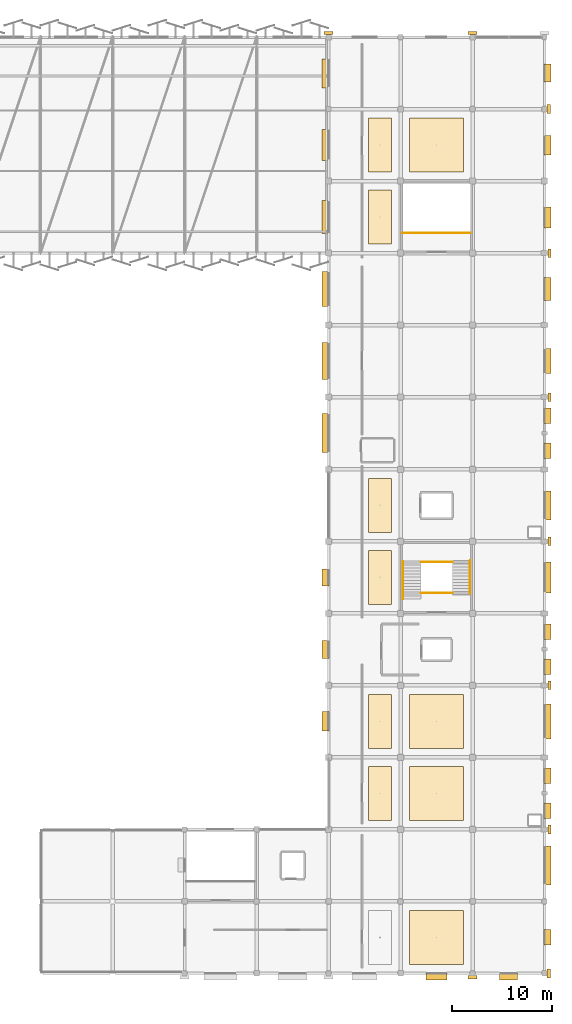
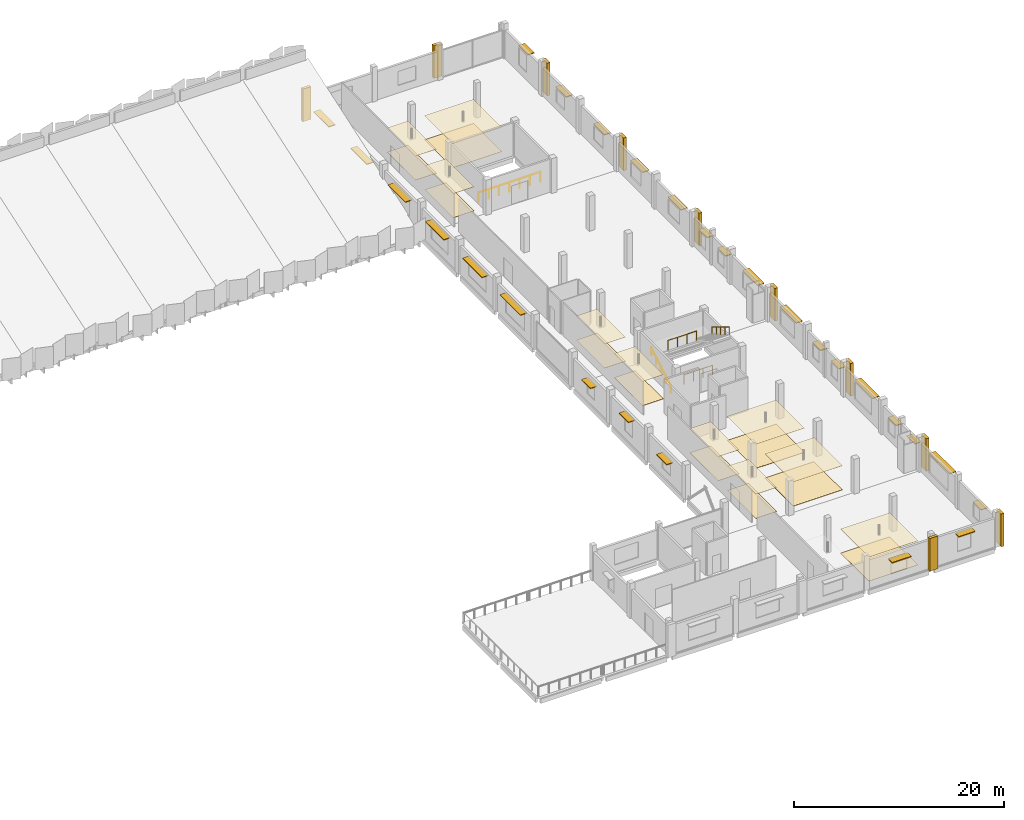
# One storey, part 58 of 59: 30 coverings, 27 shading devices, 5 railings.
"""IFC4 building model written with IfcOpenShell, lengths in metres."""

from ifc_helpers import new_model, si_unit, direction, frame, origin, origin_2d, place, context, subcontext, project, spatial, polyline, rectangle, circle, outline, extrude, material, layer, layer_set, type_object, element, save


model = new_model("IFC4")

# Units and contexts
model_context = context("Model", 3, precision=1e-05, world=origin(), true_north=direction((0.0, 1.0)))
body_context = subcontext(model_context, "Body", "Model", "MODEL_VIEW")
ifc_project = project(units=[si_unit("LENGTHUNIT", "METRE"), si_unit("AREAUNIT", "SQUARE_METRE"), si_unit("VOLUMEUNIT", "CUBIC_METRE"), si_unit("PLANEANGLEUNIT", "RADIAN"), si_unit("MASSUNIT", "GRAM", prefix="KILO")], contexts=[model_context])

# Site, building, storey
site_placement = place(None, origin())
site = spatial("IfcSite", under=ifc_project, at=site_placement, CompositionType="ELEMENT")
building_placement = place(site_placement, origin())
building = spatial("IfcBuilding", under=site, at=building_placement, Name="Kangsadwip Square Police Headquarters", CompositionType="ELEMENT")
storey_placement = place(building_placement, frame((0.0, 0.0, 21.60009765625)))
storey = spatial("IfcBuildingStorey", under=building, at=storey_placement, Name="L05", CompositionType="ELEMENT", Elevation=21.60009765625)

# Railings
ifc_material_1 = material(Name="Structural steel IS 2062 E250 (Grade 250, 250 MPa)", Category="steel")
railing_type_1 = type_object("IfcRailingType", Name="BalustradeGuard1100", PredefinedType="BALUSTRADE", material=ifc_material_1)
for number, where, name in (
    (1, (153.22998046875, 59.639892578125, 0.0), "Stair Guard ST-03 L05-94"),
    (2, (153.22998046875, 62.719970703125, 2.10595703125), "Stair Guard ST-03 L05-95"),
):
    element("IfcRailing", number, at=place(storey_placement, frame(where)), inside=storey, type_object=railing_type_1, Name=name, PredefinedType="BALUSTRADE", context=body_context, shape_type="SweptSolid", body=[
        extrude(circle(Radius=0.02392578125, at=origin_2d()), frame((0.0, 0.0, 1.09619140625), z_axis=(1.0, 0.0, 0.0), x_axis=(0.0, 1.0, 0.0)), (0.0, 0.0, 1.0), 3.14013671875),
        extrude(circle(Radius=0.02099609375, at=origin_2d()), origin(), (0.0, 0.0, 1.0), 1.072021484375),
        extrude(circle(Radius=0.02099609375, at=origin_2d()), frame((1.046630859375, 0.0, 0.0)), (0.0, 0.0, 1.0), 1.072021484375),
        extrude(circle(Radius=0.02099609375, at=origin_2d()), frame((2.093505859375, 0.0, 0.0)), (0.0, 0.0, 1.0), 1.072021484375),
        extrude(circle(Radius=0.02099609375, at=origin_2d()), frame((3.14013671875, 0.0, 0.0)), (0.0, 0.0, 1.0), 1.072021484375),
    ])
railing_1_placement = place(storey_placement, frame((151.39990234375, 95.60009765625, 0.0)))
element("IfcRailing", 3, at=railing_1_placement, inside=storey, type_object=railing_type_1, Name="Top Stairwell Guard ST-04 L05", PredefinedType="BALUSTRADE", context=body_context, shape_type="SweptSolid", body=[
    extrude(circle(Radius=0.02392578125, at=origin_2d()), frame((0.0, 0.0, 1.09619140625), z_axis=(1.0, 0.0, 0.0), x_axis=(0.0, 1.0, 0.0)), (0.0, 0.0, 1.0), 6.800048828125),
    extrude(circle(Radius=0.02099609375, at=origin_2d()), origin(), (0.0, 0.0, 1.0), 1.072021484375),
    extrude(circle(Radius=0.02099609375, at=origin_2d()), frame((1.13330078125, 0.0, 0.0)), (0.0, 0.0, 1.0), 1.072021484375),
    extrude(circle(Radius=0.02099609375, at=origin_2d()), frame((2.2666015625, 0.0, 0.0)), (0.0, 0.0, 1.0), 1.072021484375),
    extrude(circle(Radius=0.02099609375, at=origin_2d()), frame((3.39990234375, 0.0, 0.0)), (0.0, 0.0, 1.0), 1.072021484375),
    extrude(circle(Radius=0.02099609375, at=origin_2d()), frame((4.533447265625, 0.0, 0.0)), (0.0, 0.0, 1.0), 1.072021484375),
    extrude(circle(Radius=0.02099609375, at=origin_2d()), frame((5.666748046875, 0.0, 0.0)), (0.0, 0.0, 1.0), 1.072021484375),
    extrude(circle(Radius=0.02099609375, at=origin_2d()), frame((6.800048828125, 0.0, 0.0)), (0.0, 0.0, 1.0), 1.072021484375),
])

# Coverings
ifc_material_2 = material(Name="Seamless anti-static epoxy and polished Kota stone interior flooring", Category="masonry")
ifc_layer_1 = layer(ifc_material_2, 0.02001953125)
ifc_layer_set_1 = layer_set([ifc_layer_1], Name="Seamless anti-static epoxy and polished Kota stone interior flooring")
covering_type_1 = type_object("IfcCoveringType", Name="InteriorStoneEpoxyFloor", PredefinedType="FLOORING", material=ifc_layer_set_1)
covering_1_placement = place(storey_placement, origin())
element("IfcCovering", 4, at=covering_1_placement, inside=storey, type_object=covering_type_1, Name="Interior Floor Finish L05-158", PredefinedType="FLOORING", context=body_context, shape_type="SweptSolid", body=[
    extrude(outline(polyline([(148.0, 94.5), (150.300048828125, 94.5), (150.300048828125, 99.89990234375), (148.0, 99.89990234375), (148.0, 94.5)])), origin(), (0.0, 0.0, 1.0), 0.02001953125),
])
covering_2_placement = place(storey_placement, origin())
element("IfcCovering", 5, at=covering_2_placement, inside=storey, type_object=covering_type_1, Name="Interior Floor Finish L05-159", PredefinedType="FLOORING", context=body_context, shape_type="SweptSolid", body=[
    extrude(outline(polyline([(148.0, 101.699951171875), (150.300048828125, 101.699951171875), (150.300048828125, 107.10009765625), (148.0, 107.10009765625), (148.0, 101.699951171875)])), origin(), (0.0, 0.0, 1.0), 0.02001953125),
])
covering_3_placement = place(storey_placement, origin())
element("IfcCovering", 6, at=covering_3_placement, inside=storey, type_object=covering_type_1, Name="Interior Floor Finish L05-160", PredefinedType="FLOORING", context=body_context, shape_type="SweptSolid", body=[
    extrude(outline(polyline([(152.10009765625, 101.699951171875), (157.5, 101.699951171875), (157.5, 107.10009765625), (152.10009765625, 107.10009765625), (152.10009765625, 101.699951171875)])), origin(), (0.0, 0.0, 1.0), 0.02001953125),
])
covering_4_placement = place(storey_placement, origin())
element("IfcCovering", 7, at=covering_4_placement, inside=storey, type_object=covering_type_1, Name="Interior Floor Finish L05-168", PredefinedType="FLOORING", context=body_context, shape_type="SweptSolid", body=[
    extrude(outline(polyline([(148.0, 36.89990234375), (150.300048828125, 36.89990234375), (150.300048828125, 42.300048828125), (148.0, 42.300048828125), (148.0, 36.89990234375)])), origin(), (0.0, 0.0, 1.0), 0.02001953125),
])
covering_5_placement = place(storey_placement, origin())
element("IfcCovering", 8, at=covering_5_placement, inside=storey, type_object=covering_type_1, Name="Interior Floor Finish L05-169", PredefinedType="FLOORING", context=body_context, shape_type="SweptSolid", body=[
    extrude(outline(polyline([(152.10009765625, 36.89990234375), (157.5, 36.89990234375), (157.5, 42.300048828125), (152.10009765625, 42.300048828125), (152.10009765625, 36.89990234375)])), origin(), (0.0, 0.0, 1.0), 0.02001953125),
])
covering_6_placement = place(storey_placement, origin())
element("IfcCovering", 9, at=covering_6_placement, inside=storey, type_object=covering_type_1, Name="Interior Floor Finish L05-170", PredefinedType="FLOORING", context=body_context, shape_type="SweptSolid", body=[
    extrude(outline(polyline([(148.0, 44.10009765625), (150.300048828125, 44.10009765625), (150.300048828125, 49.5), (148.0, 49.5), (148.0, 44.10009765625)])), origin(), (0.0, 0.0, 1.0), 0.02001953125),
])
covering_7_placement = place(storey_placement, origin())
element("IfcCovering", 10, at=covering_7_placement, inside=storey, type_object=covering_type_1, Name="Interior Floor Finish L05-171", PredefinedType="FLOORING", context=body_context, shape_type="SweptSolid", body=[
    extrude(outline(polyline([(152.10009765625, 44.10009765625), (157.5, 44.10009765625), (157.5, 49.5), (152.10009765625, 49.5), (152.10009765625, 44.10009765625)])), origin(), (0.0, 0.0, 1.0), 0.02001953125),
])
covering_8_placement = place(storey_placement, origin())
element("IfcCovering", 11, at=covering_8_placement, inside=storey, type_object=covering_type_1, Name="Interior Floor Finish L05-172", PredefinedType="FLOORING", context=body_context, shape_type="SweptSolid", body=[
    extrude(outline(polyline([(148.0, 58.5), (150.300048828125, 58.5), (150.300048828125, 63.89990234375), (148.0, 63.89990234375), (148.0, 58.5)])), origin(), (0.0, 0.0, 1.0), 0.02001953125),
])
covering_9_placement = place(storey_placement, origin())
element("IfcCovering", 12, at=covering_9_placement, inside=storey, type_object=covering_type_1, Name="Interior Floor Finish L05-173", PredefinedType="FLOORING", context=body_context, shape_type="SweptSolid", body=[
    extrude(outline(polyline([(148.0, 65.699951171875), (150.300048828125, 65.699951171875), (150.300048828125, 71.10009765625), (148.0, 71.10009765625), (148.0, 65.699951171875)])), origin(), (0.0, 0.0, 1.0), 0.02001953125),
])
covering_10_placement = place(storey_placement, origin())
element("IfcCovering", 13, at=covering_10_placement, inside=storey, type_object=covering_type_1, Name="Interior Floor Finish L05-175", PredefinedType="FLOORING", context=body_context, shape_type="SweptSolid", body=[
    extrude(outline(polyline([(152.10009765625, 22.5), (157.5, 22.5), (157.5, 27.89990234375), (152.10009765625, 27.89990234375), (152.10009765625, 22.5)])), origin(), (0.0, 0.0, 1.0), 0.02001953125),
])

# Railings
ifc_material_3 = material(Name="Structural steel IS 2062 E250 (Grade 250, 250 MPa)", Category="steel")
railing_type_2 = type_object("IfcRailingType", Name="StairPitchHandrail900", PredefinedType="HANDRAIL", material=ifc_material_3)
railing_2_placement = place(storey_placement, frame((151.43994140625, 59.0400390625, 0.0)))
element("IfcRailing", 14, at=railing_2_placement, inside=storey, type_object=railing_type_2, Name="Stair Handrail ST-03 L05-96", PredefinedType="HANDRAIL", context=body_context, shape_type="SweptSolid", body=[
    extrude(circle(Radius=0.02392578125, at=origin_2d()), frame((0.0, 0.0, 0.8759765625), z_axis=(0.0, 0.870225440575, 0.492653714668), x_axis=(-1.0, 0.0, 0.0)), (0.0, 0.0, 1.0), 4.274658203125),
    extrude(circle(Radius=0.02099609375, at=origin_2d()), origin(), (0.0, 0.0, 1.0), 0.851806640625),
    extrude(circle(Radius=0.02099609375, at=origin_2d()), frame((0.0, 0.929931640625, 0.5263671875)), (0.0, 0.0, 1.0), 0.851806640625),
    extrude(circle(Radius=0.02099609375, at=origin_2d()), frame((0.0, 1.85986328125, 1.052978515625)), (0.0, 0.0, 1.0), 0.851806640625),
    extrude(circle(Radius=0.02099609375, at=origin_2d()), frame((0.0, 2.7900390625, 1.57958984375)), (0.0, 0.0, 1.0), 0.851806640625),
    extrude(circle(Radius=0.02099609375, at=origin_2d()), frame((0.0, 3.719970703125, 2.10595703125)), (0.0, 0.0, 1.0), 0.851806640625),
])
railing_3_placement = place(storey_placement, frame((158.159912109375, 62.860107421875, 2.10595703125)))
element("IfcRailing", 15, at=railing_3_placement, inside=storey, type_object=railing_type_2, Name="Stair Handrail ST-03 L05-97", PredefinedType="HANDRAIL", context=body_context, shape_type="SweptSolid", body=[
    extrude(circle(Radius=0.02392578125, at=origin_2d()), frame((0.0, 0.0, 0.8759765625), z_axis=(0.0, -0.860276971572, 0.509826962981), x_axis=(1.0, 0.0, 0.0)), (0.0, 0.0, 1.0), 3.812744140625),
    extrude(circle(Radius=0.02099609375, at=origin_2d()), origin(), (0.0, 0.0, 1.0), 0.851806640625),
    extrude(circle(Radius=0.02099609375, at=origin_2d()), frame((0.0, -0.820068359375, 0.48583984375)), (0.0, 0.0, 1.0), 0.851806640625),
    extrude(circle(Radius=0.02099609375, at=origin_2d()), frame((0.0, -1.64013671875, 0.971923828125)), (0.0, 0.0, 1.0), 0.851806640625),
    extrude(circle(Radius=0.02099609375, at=origin_2d()), frame((0.0, -2.4599609375, 1.4580078125)), (0.0, 0.0, 1.0), 0.851806640625),
    extrude(circle(Radius=0.02099609375, at=origin_2d()), frame((0.0, -3.280029296875, 1.94384765625)), (0.0, 0.0, 1.0), 0.851806640625),
])

# Coverings
ifc_material_4 = material(Name="Perforated mineral-fibre and acoustic baffle suspended ceiling", Category="wood")
ifc_layer_2 = layer(ifc_material_4, 0.02490234375)
ifc_layer_set_2 = layer_set([ifc_layer_2], Name="Perforated mineral-fibre and acoustic baffle suspended ceiling")
covering_type_2 = type_object("IfcCoveringType", Name="SuspendedAcousticCeiling", PredefinedType="CEILING", material=ifc_layer_set_2)
covering_11_placement = place(storey_placement, frame((0.0, 0.0, 2.7998046875)))
element("IfcCovering", 16, at=covering_11_placement, inside=storey, type_object=covering_type_2, Name="Suspended Acoustic Ceiling L05-158", PredefinedType="CEILING", context=body_context, shape_type="SweptSolid", body=[
    extrude(outline(polyline([(148.0, 94.5), (150.300048828125, 94.5), (150.300048828125, 99.89990234375), (148.0, 99.89990234375), (148.0, 94.5)])), origin(), (0.0, 0.0, 1.0), 0.025146484375),
])
covering_12_placement = place(storey_placement, frame((0.0, 0.0, 2.7998046875)))
element("IfcCovering", 17, at=covering_12_placement, inside=storey, type_object=covering_type_2, Name="Suspended Acoustic Ceiling L05-159", PredefinedType="CEILING", context=body_context, shape_type="SweptSolid", body=[
    extrude(outline(polyline([(148.0, 101.699951171875), (150.300048828125, 101.699951171875), (150.300048828125, 107.10009765625), (148.0, 107.10009765625), (148.0, 101.699951171875)])), origin(), (0.0, 0.0, 1.0), 0.025146484375),
])
covering_13_placement = place(storey_placement, frame((0.0, 0.0, 2.7998046875)))
element("IfcCovering", 18, at=covering_13_placement, inside=storey, type_object=covering_type_2, Name="Suspended Acoustic Ceiling L05-160", PredefinedType="CEILING", context=body_context, shape_type="SweptSolid", body=[
    extrude(outline(polyline([(152.10009765625, 101.699951171875), (157.5, 101.699951171875), (157.5, 107.10009765625), (152.10009765625, 107.10009765625), (152.10009765625, 101.699951171875)])), origin(), (0.0, 0.0, 1.0), 0.025146484375),
])
covering_14_placement = place(storey_placement, frame((0.0, 0.0, 2.7998046875)))
element("IfcCovering", 19, at=covering_14_placement, inside=storey, type_object=covering_type_2, Name="Suspended Acoustic Ceiling L05-168", PredefinedType="CEILING", context=body_context, shape_type="SweptSolid", body=[
    extrude(outline(polyline([(148.0, 36.89990234375), (150.300048828125, 36.89990234375), (150.300048828125, 42.300048828125), (148.0, 42.300048828125), (148.0, 36.89990234375)])), origin(), (0.0, 0.0, 1.0), 0.025146484375),
])
covering_15_placement = place(storey_placement, frame((0.0, 0.0, 2.7998046875)))
element("IfcCovering", 20, at=covering_15_placement, inside=storey, type_object=covering_type_2, Name="Suspended Acoustic Ceiling L05-169", PredefinedType="CEILING", context=body_context, shape_type="SweptSolid", body=[
    extrude(outline(polyline([(152.10009765625, 36.89990234375), (157.5, 36.89990234375), (157.5, 42.300048828125), (152.10009765625, 42.300048828125), (152.10009765625, 36.89990234375)])), origin(), (0.0, 0.0, 1.0), 0.025146484375),
])
covering_16_placement = place(storey_placement, frame((0.0, 0.0, 2.7998046875)))
element("IfcCovering", 21, at=covering_16_placement, inside=storey, type_object=covering_type_2, Name="Suspended Acoustic Ceiling L05-170", PredefinedType="CEILING", context=body_context, shape_type="SweptSolid", body=[
    extrude(outline(polyline([(148.0, 44.10009765625), (150.300048828125, 44.10009765625), (150.300048828125, 49.5), (148.0, 49.5), (148.0, 44.10009765625)])), origin(), (0.0, 0.0, 1.0), 0.025146484375),
])
covering_17_placement = place(storey_placement, frame((0.0, 0.0, 2.7998046875)))
element("IfcCovering", 22, at=covering_17_placement, inside=storey, type_object=covering_type_2, Name="Suspended Acoustic Ceiling L05-171", PredefinedType="CEILING", context=body_context, shape_type="SweptSolid", body=[
    extrude(outline(polyline([(152.10009765625, 44.10009765625), (157.5, 44.10009765625), (157.5, 49.5), (152.10009765625, 49.5), (152.10009765625, 44.10009765625)])), origin(), (0.0, 0.0, 1.0), 0.025146484375),
])
covering_18_placement = place(storey_placement, frame((0.0, 0.0, 2.7998046875)))
element("IfcCovering", 23, at=covering_18_placement, inside=storey, type_object=covering_type_2, Name="Suspended Acoustic Ceiling L05-172", PredefinedType="CEILING", context=body_context, shape_type="SweptSolid", body=[
    extrude(outline(polyline([(148.0, 58.5), (150.300048828125, 58.5), (150.300048828125, 63.89990234375), (148.0, 63.89990234375), (148.0, 58.5)])), origin(), (0.0, 0.0, 1.0), 0.025146484375),
])
covering_19_placement = place(storey_placement, frame((0.0, 0.0, 2.7998046875)))
element("IfcCovering", 24, at=covering_19_placement, inside=storey, type_object=covering_type_2, Name="Suspended Acoustic Ceiling L05-173", PredefinedType="CEILING", context=body_context, shape_type="SweptSolid", body=[
    extrude(outline(polyline([(148.0, 65.699951171875), (150.300048828125, 65.699951171875), (150.300048828125, 71.10009765625), (148.0, 71.10009765625), (148.0, 65.699951171875)])), origin(), (0.0, 0.0, 1.0), 0.025146484375),
])
covering_20_placement = place(storey_placement, frame((0.0, 0.0, 2.7998046875)))
element("IfcCovering", 25, at=covering_20_placement, inside=storey, type_object=covering_type_2, Name="Suspended Acoustic Ceiling L05-175", PredefinedType="CEILING", context=body_context, shape_type="SweptSolid", body=[
    extrude(outline(polyline([(152.10009765625, 22.5), (157.5, 22.5), (157.5, 27.89990234375), (152.10009765625, 27.89990234375), (152.10009765625, 22.5)])), origin(), (0.0, 0.0, 1.0), 0.025146484375),
])
ifc_material_5 = material(Name="Glazed architectural terracotta masonry rainscreen", Category="masonry")
ifc_layer_3 = layer(ifc_material_5, 0.034912109375)
ifc_layer_set_3 = layer_set([ifc_layer_3], Name="Glazed architectural terracotta masonry rainscreen")
covering_type_3 = type_object("IfcCoveringType", Name="TerracottaPierCladding", PredefinedType="CLADDING", material=ifc_layer_set_3)
covering_21_placement = place(storey_placement, origin())
element("IfcCovering", 26, at=covering_21_placement, inside=storey, type_object=covering_type_3, Name="Terracotta Pier Cladding L05-128", PredefinedType="CLADDING", context=body_context, shape_type="SweptSolid", body=[
    extrude(outline(polyline([(165.85498046875, 21.159912109375), (166.175048828125, 21.159912109375), (166.175048828125, 22.0400390625), (165.85498046875, 22.0400390625), (165.85498046875, 21.159912109375)])), origin(), (0.0, 0.0, 1.0), 3.7998046875),
])
covering_22_placement = place(storey_placement, origin())
element("IfcCovering", 27, at=covering_22_placement, inside=storey, type_object=covering_type_3, Name="Terracotta Pier Cladding L05-129", PredefinedType="CLADDING", context=body_context, shape_type="SweptSolid", body=[
    extrude(outline(polyline([(165.929931640625, 35.56005859375), (166.25, 35.56005859375), (166.25, 36.43994140625), (165.929931640625, 36.43994140625), (165.929931640625, 35.56005859375)])), origin(), (0.0, 0.0, 1.0), 3.7998046875),
])
covering_23_placement = place(storey_placement, origin())
element("IfcCovering", 28, at=covering_23_placement, inside=storey, type_object=covering_type_3, Name="Terracotta Pier Cladding L05-130", PredefinedType="CLADDING", context=body_context, shape_type="SweptSolid", body=[
    extrude(outline(polyline([(165.929931640625, 49.9599609375), (166.25, 49.9599609375), (166.25, 50.840087890625), (165.929931640625, 50.840087890625), (165.929931640625, 49.9599609375)])), origin(), (0.0, 0.0, 1.0), 3.7998046875),
])
covering_24_placement = place(storey_placement, origin())
element("IfcCovering", 29, at=covering_24_placement, inside=storey, type_object=covering_type_3, Name="Terracotta Pier Cladding L05-131", PredefinedType="CLADDING", context=body_context, shape_type="SweptSolid", body=[
    extrude(outline(polyline([(165.929931640625, 64.360107421875), (166.25, 64.360107421875), (166.25, 65.239990234375), (165.929931640625, 65.239990234375), (165.929931640625, 64.360107421875)])), origin(), (0.0, 0.0, 1.0), 3.7998046875),
])
covering_25_placement = place(storey_placement, origin())
element("IfcCovering", 30, at=covering_25_placement, inside=storey, type_object=covering_type_3, Name="Terracotta Pier Cladding L05-132", PredefinedType="CLADDING", context=body_context, shape_type="SweptSolid", body=[
    extrude(outline(polyline([(165.929931640625, 78.760009765625), (166.25, 78.760009765625), (166.25, 79.639892578125), (165.929931640625, 79.639892578125), (165.929931640625, 78.760009765625)])), origin(), (0.0, 0.0, 1.0), 3.7998046875),
])
covering_26_placement = place(storey_placement, origin())
element("IfcCovering", 31, at=covering_26_placement, inside=storey, type_object=covering_type_3, Name="Terracotta Pier Cladding L05-133", PredefinedType="CLADDING", context=body_context, shape_type="SweptSolid", body=[
    extrude(outline(polyline([(165.929931640625, 93.159912109375), (166.25, 93.159912109375), (166.25, 94.0400390625), (165.929931640625, 94.0400390625), (165.929931640625, 93.159912109375)])), origin(), (0.0, 0.0, 1.0), 3.7998046875),
])
covering_27_placement = place(storey_placement, origin())
element("IfcCovering", 32, at=covering_27_placement, inside=storey, type_object=covering_type_3, Name="Terracotta Pier Cladding L05-134", PredefinedType="CLADDING", context=body_context, shape_type="SweptSolid", body=[
    extrude(outline(polyline([(165.85498046875, 107.56005859375), (166.175048828125, 107.56005859375), (166.175048828125, 108.43994140625), (165.85498046875, 108.43994140625), (165.85498046875, 107.56005859375)])), origin(), (0.0, 0.0, 1.0), 3.7998046875),
])
covering_28_placement = place(storey_placement, origin())
element("IfcCovering", 33, at=covering_28_placement, inside=storey, type_object=covering_type_3, Name="Terracotta Pier Cladding L05-135", PredefinedType="CLADDING", context=body_context, shape_type="SweptSolid", body=[
    extrude(outline(polyline([(143.56005859375, 115.455078125), (144.43994140625, 115.455078125), (144.43994140625, 115.77490234375), (143.56005859375, 115.77490234375), (143.56005859375, 115.455078125)])), origin(), (0.0, 0.0, 1.0), 3.7998046875),
])
covering_29_placement = place(storey_placement, origin())
element("IfcCovering", 34, at=covering_29_placement, inside=storey, type_object=covering_type_3, Name="Terracotta Pier Cladding L05-136", PredefinedType="CLADDING", context=body_context, shape_type="SweptSolid", body=[
    extrude(outline(polyline([(157.9599609375, 115.455078125), (158.840087890625, 115.455078125), (158.840087890625, 115.77490234375), (157.9599609375, 115.77490234375), (157.9599609375, 115.455078125)])), origin(), (0.0, 0.0, 1.0), 3.7998046875),
])
covering_30_placement = place(storey_placement, origin())
element("IfcCovering", 35, at=covering_30_placement, inside=storey, type_object=covering_type_3, Name="Terracotta Pier Cladding L05-140", PredefinedType="CLADDING", context=body_context, shape_type="SweptSolid", body=[
    extrude(outline(polyline([(157.9599609375, 21.050048828125), (158.840087890625, 21.050048828125), (158.840087890625, 21.3701171875), (157.9599609375, 21.3701171875), (157.9599609375, 21.050048828125)])), origin(), (0.0, 0.0, 1.0), 3.7998046875),
])

# Shading devices
ifc_material_6 = material(Name="Architectural terracotta and anodised aluminium AW-6061-T6", Category="aluminium")
shading_device_type = type_object("IfcShadingDeviceType", Name="TerracottaChhajjaAwning", PredefinedType="AWNING", material=ifc_material_6)
shading_device_1_placement = place(storey_placement, frame((154.8125, 21.300048828125, 2.46484375), z_axis=(0.0, 0.0, 1.0), x_axis=(1.0, 0.0, 0.0)))
element("IfcShadingDevice", 36, at=shading_device_1_placement, inside=storey, type_object=shading_device_type, Name="Terracotta Chhajja Hood CHJ-L05-0259", PredefinedType="AWNING", context=body_context, shape_type="SweptSolid", body=[
    extrude(rectangle(XDim=2.10009765625, YDim=0.719970703125, at=origin_2d()), origin(), (0.0, 0.0, 1.0), 0.090087890625),
])
shading_device_2_placement = place(storey_placement, frame((161.987548828125, 21.300048828125, 2.9150390625), z_axis=(0.0, 0.0, 1.0), x_axis=(1.0, 0.0, 0.0)))
element("IfcShadingDevice", 37, at=shading_device_2_placement, inside=storey, type_object=shading_device_type, Name="Terracotta Chhajja Hood CHJ-L05-0260", PredefinedType="AWNING", context=body_context, shape_type="SweptSolid", body=[
    extrude(rectangle(XDim=1.800048828125, YDim=0.719970703125, at=origin_2d()), origin(), (0.0, 0.0, 1.0), 0.090087890625),
])
shading_device_3_placement = place(storey_placement, frame((143.699951171875, 46.800048828125, 2.4150390625), z_axis=(0.0, 0.0, 1.0), x_axis=(0.0, 1.0, 0.0)))
element("IfcShadingDevice", 38, at=shading_device_3_placement, inside=storey, type_object=shading_device_type, Name="Terracotta Chhajja Hood CHJ-L05-0281", PredefinedType="AWNING", context=body_context, shape_type="SweptSolid", body=[
    extrude(rectangle(XDim=1.949951171875, YDim=0.719970703125, at=origin_2d()), origin(), (0.0, 0.0, 1.0), 0.090087890625),
])
shading_device_4_placement = place(storey_placement, frame((143.699951171875, 54.0, 2.9150390625), z_axis=(0.0, 0.0, 1.0), x_axis=(0.0, 1.0, 0.0)))
element("IfcShadingDevice", 39, at=shading_device_4_placement, inside=storey, type_object=shading_device_type, Name="Terracotta Chhajja Hood CHJ-L05-0282", PredefinedType="AWNING", context=body_context, shape_type="SweptSolid", body=[
    extrude(rectangle(XDim=1.800048828125, YDim=0.719970703125, at=origin_2d()), origin(), (0.0, 0.0, 1.0), 0.090087890625),
])
shading_device_5_placement = place(storey_placement, frame((143.699951171875, 61.199951171875, 2.46484375), z_axis=(0.0, 0.0, 1.0), x_axis=(0.0, 1.0, 0.0)))
element("IfcShadingDevice", 40, at=shading_device_5_placement, inside=storey, type_object=shading_device_type, Name="Terracotta Chhajja Hood CHJ-L05-0283", PredefinedType="AWNING", context=body_context, shape_type="SweptSolid", body=[
    extrude(rectangle(XDim=1.699951171875, YDim=0.719970703125, at=origin_2d()), origin(), (0.0, 0.0, 1.0), 0.090087890625),
])
shading_device_6_placement = place(storey_placement, frame((143.699951171875, 75.60009765625, 2.9150390625), z_axis=(0.0, 0.0, 1.0), x_axis=(0.0, 1.0, 0.0)))
element("IfcShadingDevice", 41, at=shading_device_6_placement, inside=storey, type_object=shading_device_type, Name="Terracotta Chhajja Hood CHJ-L05-0284", PredefinedType="AWNING", context=body_context, shape_type="SweptSolid", body=[
    extrude(rectangle(XDim=3.89990234375, YDim=0.719970703125, at=origin_2d()), origin(), (0.0, 0.0, 1.0), 0.090087890625),
])
shading_device_7_placement = place(storey_placement, frame((143.699951171875, 82.800048828125, 2.86474609375), z_axis=(0.0, 0.0, 1.0), x_axis=(0.0, 1.0, 0.0)))
element("IfcShadingDevice", 42, at=shading_device_7_placement, inside=storey, type_object=shading_device_type, Name="Terracotta Chhajja Hood CHJ-L05-0285", PredefinedType="AWNING", context=body_context, shape_type="SweptSolid", body=[
    extrude(rectangle(XDim=3.699951171875, YDim=0.719970703125, at=origin_2d()), origin(), (0.0, 0.0, 1.0), 0.090087890625),
])
shading_device_8_placement = place(storey_placement, frame((143.699951171875, 90.0, 2.81494140625), z_axis=(0.0, 0.0, 1.0), x_axis=(0.0, 1.0, 0.0)))
element("IfcShadingDevice", 43, at=shading_device_8_placement, inside=storey, type_object=shading_device_type, Name="Terracotta Chhajja Hood CHJ-L05-0286", PredefinedType="AWNING", context=body_context, shape_type="SweptSolid", body=[
    extrude(rectangle(XDim=3.5, YDim=0.719970703125, at=origin_2d()), origin(), (0.0, 0.0, 1.0), 0.090087890625),
])
shading_device_9_placement = place(storey_placement, frame((143.699951171875, 97.199951171875, 2.7646484375), z_axis=(0.0, 0.0, 1.0), x_axis=(0.0, 1.0, 0.0)))
element("IfcShadingDevice", 44, at=shading_device_9_placement, inside=storey, type_object=shading_device_type, Name="Terracotta Chhajja Hood CHJ-L05-0287", PredefinedType="AWNING", context=body_context, shape_type="SweptSolid", body=[
    extrude(rectangle(XDim=3.300048828125, YDim=0.719970703125, at=origin_2d()), origin(), (0.0, 0.0, 1.0), 0.090087890625),
])
shading_device_10_placement = place(storey_placement, frame((143.699951171875, 104.425048828125, 2.71484375), z_axis=(0.0, 0.0, 1.0), x_axis=(0.0, 1.0, 0.0)))
element("IfcShadingDevice", 45, at=shading_device_10_placement, inside=storey, type_object=shading_device_type, Name="Terracotta Chhajja Hood CHJ-L05-0288", PredefinedType="AWNING", context=body_context, shape_type="SweptSolid", body=[
    extrude(rectangle(XDim=3.10009765625, YDim=0.719970703125, at=origin_2d()), origin(), (0.0, 0.0, 1.0), 0.090087890625),
])
shading_device_11_placement = place(storey_placement, frame((143.699951171875, 111.58740234375, 2.6650390625), z_axis=(0.0, 0.0, 1.0), x_axis=(0.0, 1.0, 0.0)))
element("IfcShadingDevice", 46, at=shading_device_11_placement, inside=storey, type_object=shading_device_type, Name="Terracotta Chhajja Hood CHJ-L05-0289", PredefinedType="AWNING", context=body_context, shape_type="SweptSolid", body=[
    extrude(rectangle(XDim=2.89990234375, YDim=0.719970703125, at=origin_2d()), origin(), (0.0, 0.0, 1.0), 0.090087890625),
])
shading_device_12_placement = place(storey_placement, frame((165.89990234375, 25.21240234375, 2.36474609375), z_axis=(0.0, 0.0, 1.0), x_axis=(0.0, 1.0, 0.0)))
element("IfcShadingDevice", 47, at=shading_device_12_placement, inside=storey, type_object=shading_device_type, Name="Terracotta Chhajja Hood CHJ-L05-0290", PredefinedType="AWNING", context=body_context, shape_type="SweptSolid", body=[
    extrude(rectangle(XDim=1.550048828125, YDim=0.719970703125, at=origin_2d()), origin(), (0.0, 0.0, 1.0), 0.090087890625),
])
shading_device_13_placement = place(storey_placement, frame((165.89990234375, 32.39990234375, 2.9150390625), z_axis=(0.0, 0.0, 1.0), x_axis=(0.0, 1.0, 0.0)))
element("IfcShadingDevice", 48, at=shading_device_13_placement, inside=storey, type_object=shading_device_type, Name="Terracotta Chhajja Hood CHJ-L05-0291", PredefinedType="AWNING", context=body_context, shape_type="SweptSolid", body=[
    extrude(rectangle(XDim=3.89990234375, YDim=0.719970703125, at=origin_2d()), origin(), (0.0, 0.0, 1.0), 0.090087890625),
])
for number, where, z_axis, x_axis, name in (
    (49, (165.89990234375, 37.83740234375, 2.36474609375), (0.0, 0.0, 1.0), (0.0, 1.0, 0.0), "Terracotta Chhajja Hood CHJ-L05-0292"),
    (50, (165.89990234375, 41.362548828125, 2.36474609375), (0.0, 0.0, 1.0), (0.0, 1.0, 0.0), "Terracotta Chhajja Hood CHJ-L05-0293"),
):
    element("IfcShadingDevice", number, at=place(storey_placement, frame(where, z_axis=z_axis, x_axis=x_axis)), inside=storey, type_object=shading_device_type, Name=name, PredefinedType="AWNING", context=body_context, shape_type="SweptSolid", body=[
        extrude(rectangle(XDim=1.550048828125, YDim=0.719970703125, at=origin_2d()), origin(), (0.0, 0.0, 1.0), 0.090087890625),
    ])
shading_device_14_placement = place(storey_placement, frame((165.89990234375, 46.800048828125, 2.81494140625), z_axis=(0.0, 0.0, 1.0), x_axis=(0.0, 1.0, 0.0)))
element("IfcShadingDevice", 51, at=shading_device_14_placement, inside=storey, type_object=shading_device_type, Name="Terracotta Chhajja Hood CHJ-L05-0294", PredefinedType="AWNING", context=body_context, shape_type="SweptSolid", body=[
    extrude(rectangle(XDim=3.5, YDim=0.719970703125, at=origin_2d()), origin(), (0.0, 0.0, 1.0), 0.090087890625),
])
for number, where, z_axis, x_axis, name in (
    (52, (165.89990234375, 52.237548828125, 2.36474609375), (0.0, 0.0, 1.0), (0.0, 1.0, 0.0), "Terracotta Chhajja Hood CHJ-L05-0295"),
    (53, (165.89990234375, 55.762451171875, 2.36474609375), (0.0, 0.0, 1.0), (0.0, 1.0, 0.0), "Terracotta Chhajja Hood CHJ-L05-0296"),
):
    element("IfcShadingDevice", number, at=place(storey_placement, frame(where, z_axis=z_axis, x_axis=x_axis)), inside=storey, type_object=shading_device_type, Name=name, PredefinedType="AWNING", context=body_context, shape_type="SweptSolid", body=[
        extrude(rectangle(XDim=1.550048828125, YDim=0.719970703125, at=origin_2d()), origin(), (0.0, 0.0, 1.0), 0.090087890625),
    ])
shading_device_15_placement = place(storey_placement, frame((165.89990234375, 61.199951171875, 2.71484375), z_axis=(0.0, 0.0, 1.0), x_axis=(0.0, 1.0, 0.0)))
element("IfcShadingDevice", 54, at=shading_device_15_placement, inside=storey, type_object=shading_device_type, Name="Terracotta Chhajja Hood CHJ-L05-0297", PredefinedType="AWNING", context=body_context, shape_type="SweptSolid", body=[
    extrude(rectangle(XDim=3.10009765625, YDim=0.719970703125, at=origin_2d()), origin(), (0.0, 0.0, 1.0), 0.090087890625),
])
shading_device_16_placement = place(storey_placement, frame((165.89990234375, 68.39990234375, 2.6650390625), z_axis=(0.0, 0.0, 1.0), x_axis=(0.0, 1.0, 0.0)))
element("IfcShadingDevice", 55, at=shading_device_16_placement, inside=storey, type_object=shading_device_type, Name="Terracotta Chhajja Hood CHJ-L05-0298", PredefinedType="AWNING", context=body_context, shape_type="SweptSolid", body=[
    extrude(rectangle(XDim=2.89990234375, YDim=0.719970703125, at=origin_2d()), origin(), (0.0, 0.0, 1.0), 0.090087890625),
])
for number, where, z_axis, x_axis, name in (
    (56, (165.89990234375, 73.83740234375, 2.36474609375), (0.0, 0.0, 1.0), (0.0, 1.0, 0.0), "Terracotta Chhajja Hood CHJ-L05-0299"),
    (57, (165.89990234375, 77.362548828125, 2.36474609375), (0.0, 0.0, 1.0), (0.0, 1.0, 0.0), "Terracotta Chhajja Hood CHJ-L05-0300"),
):
    element("IfcShadingDevice", number, at=place(storey_placement, frame(where, z_axis=z_axis, x_axis=x_axis)), inside=storey, type_object=shading_device_type, Name=name, PredefinedType="AWNING", context=body_context, shape_type="SweptSolid", body=[
        extrude(rectangle(XDim=1.550048828125, YDim=0.719970703125, at=origin_2d()), origin(), (0.0, 0.0, 1.0), 0.090087890625),
    ])
shading_device_17_placement = place(storey_placement, frame((165.89990234375, 82.800048828125, 2.56494140625), z_axis=(0.0, 0.0, 1.0), x_axis=(0.0, 1.0, 0.0)))
element("IfcShadingDevice", 58, at=shading_device_17_placement, inside=storey, type_object=shading_device_type, Name="Terracotta Chhajja Hood CHJ-L05-0301", PredefinedType="AWNING", context=body_context, shape_type="SweptSolid", body=[
    extrude(rectangle(XDim=2.5, YDim=0.719970703125, at=origin_2d()), origin(), (0.0, 0.0, 1.0), 0.090087890625),
])
shading_device_18_placement = place(storey_placement, frame((165.89990234375, 90.0, 2.5146484375), z_axis=(0.0, 0.0, 1.0), x_axis=(0.0, 1.0, 0.0)))
element("IfcShadingDevice", 59, at=shading_device_18_placement, inside=storey, type_object=shading_device_type, Name="Terracotta Chhajja Hood CHJ-L05-0302", PredefinedType="AWNING", context=body_context, shape_type="SweptSolid", body=[
    extrude(rectangle(XDim=2.300048828125, YDim=0.719970703125, at=origin_2d()), origin(), (0.0, 0.0, 1.0), 0.090087890625),
])
shading_device_19_placement = place(storey_placement, frame((165.89990234375, 97.175048828125, 2.46484375), z_axis=(0.0, 0.0, 1.0), x_axis=(0.0, 1.0, 0.0)))
element("IfcShadingDevice", 60, at=shading_device_19_placement, inside=storey, type_object=shading_device_type, Name="Terracotta Chhajja Hood CHJ-L05-0303", PredefinedType="AWNING", context=body_context, shape_type="SweptSolid", body=[
    extrude(rectangle(XDim=2.10009765625, YDim=0.719970703125, at=origin_2d()), origin(), (0.0, 0.0, 1.0), 0.090087890625),
])
shading_device_20_placement = place(storey_placement, frame((165.89990234375, 104.41259765625, 2.4150390625), z_axis=(0.0, 0.0, 1.0), x_axis=(0.0, 1.0, 0.0)))
element("IfcShadingDevice", 61, at=shading_device_20_placement, inside=storey, type_object=shading_device_type, Name="Terracotta Chhajja Hood CHJ-L05-0304", PredefinedType="AWNING", context=body_context, shape_type="SweptSolid", body=[
    extrude(rectangle(XDim=1.949951171875, YDim=0.719970703125, at=origin_2d()), origin(), (0.0, 0.0, 1.0), 0.090087890625),
])
shading_device_21_placement = place(storey_placement, frame((165.89990234375, 111.612548828125, 2.9150390625), z_axis=(0.0, 0.0, 1.0), x_axis=(0.0, 1.0, 0.0)))
element("IfcShadingDevice", 62, at=shading_device_21_placement, inside=storey, type_object=shading_device_type, Name="Terracotta Chhajja Hood CHJ-L05-0305", PredefinedType="AWNING", context=body_context, shape_type="SweptSolid", body=[
    extrude(rectangle(XDim=1.800048828125, YDim=0.719970703125, at=origin_2d()), origin(), (0.0, 0.0, 1.0), 0.090087890625),
])

save(model, "model.ifc")
